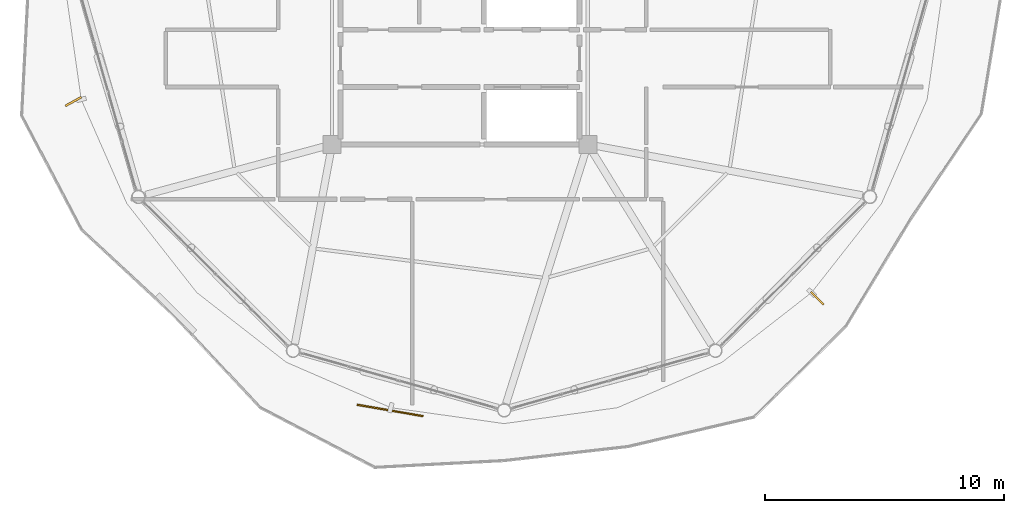
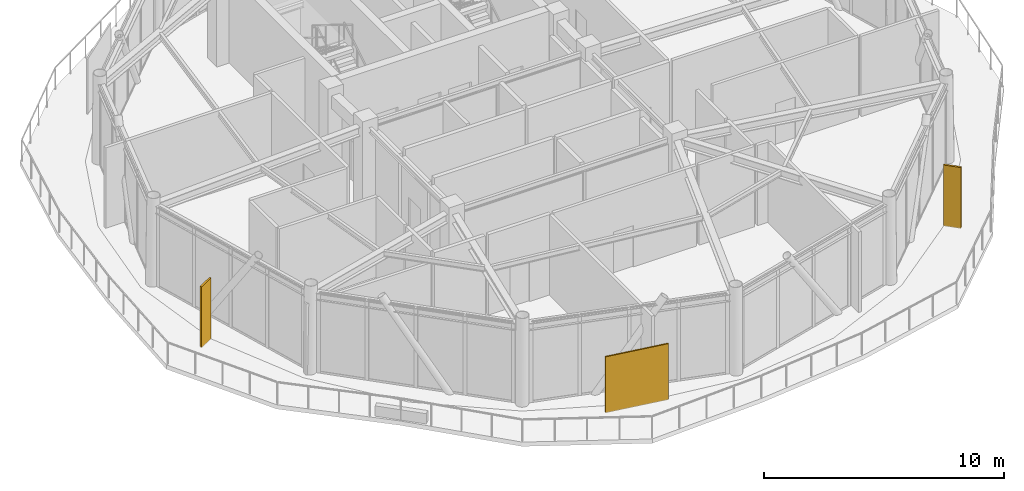
# One storey, part 21 of 24: 3 shading devices.
"""IFC4 building model written with IfcOpenShell, lengths in metres."""

from ifc_helpers import new_model, si_unit, direction, frame, origin, origin_2d, place, context, subcontext, project, spatial, rectangle, extrude, source, transform, mapped, material, type_object, type_shapes, element, save


model = new_model("IFC4")

# Units and contexts
model_context = context("Model", 3, precision=1e-05, world=origin(), true_north=direction((0.0, 1.0)))
body_context = subcontext(model_context, "Body", "Model", "MODEL_VIEW")
ifc_project = project(units=[si_unit("LENGTHUNIT", "METRE"), si_unit("AREAUNIT", "SQUARE_METRE"), si_unit("VOLUMEUNIT", "CUBIC_METRE"), si_unit("PLANEANGLEUNIT", "RADIAN"), si_unit("MASSUNIT", "GRAM", prefix="KILO")], contexts=[model_context])

# Site, building, storey
site_placement = place(None, origin())
site = spatial("IfcSite", under=ifc_project, at=site_placement, CompositionType="ELEMENT")
building_placement = place(site_placement, origin())
building = spatial("IfcBuilding", under=site, at=building_placement, Name="Varnakorn Sky Granary", CompositionType="ELEMENT")
storey_placement = place(building_placement, frame((0.0, 0.0, 285.0)))
storey = spatial("IfcBuildingStorey", under=building, at=storey_placement, Name="L73", CompositionType="ELEMENT", Elevation=285.0)

# Shading devices
ifc_material = material(Name="Anodised Bronze Aluminium Alloy 6063-T6", Category="aluminium")
shading_device_type_1 = type_object("IfcShadingDeviceType", Name="SH-FIN-03", PredefinedType="USERDEFINED", material=ifc_material)
shared_shape_1 = source(origin(), body_context, "Body", "SweptSolid", [
    extrude(rectangle(XDim=0.0849609375, YDim=0.760009765625, at=origin_2d()), origin(), (0.0, 0.0, 1.0), 3.10009765625),
])
type_shapes(shading_device_type_1, [shared_shape_1])
for number, where, z_axis, x_axis, name in (
    (1, (-13.17724609375, -4.80810546875, -0.0400390625), (0.0, 0.0, 1.0), (0.481885948132, -0.876233948779, 0.0), "Bronze Solar-Tracking Vertical Blade FIN L73-07"),
    (2, (17.951904296875, -13.041015625, -0.0400390625), (0.0, 0.0, 1.0), (0.70453430623, 0.709669931268, 0.0), "Bronze Solar-Tracking Vertical Blade FIN L73-11"),
):
    element("IfcShadingDevice", number, at=place(storey_placement, frame(where, z_axis=z_axis, x_axis=x_axis)), inside=storey, type_object=shading_device_type_1, Name=name, ObjectType="FIN", PredefinedType="USERDEFINED", context=body_context, shape_type="MappedRepresentation", body=[
        mapped(shared_shape_1, transform((0.0, 0.0, 0.0), x_axis=(1.0, 0.0, 0.0), y_axis=(0.0, 1.0, 0.0), z_axis=(0.0, 0.0, 1.0), scale=1.0)),
    ])
shading_device_type_2 = type_object("IfcShadingDeviceType", Name="SH-SCR-03", PredefinedType="USERDEFINED", material=ifc_material)
shared_shape_2 = source(origin(), body_context, "Body", "SweptSolid", [
    extrude(rectangle(XDim=2.800048828125, YDim=0.06494140625, at=origin_2d()), origin(), (0.0, 0.0, 1.0), 2.85009765625),
])
type_shapes(shading_device_type_2, [shared_shape_2])
shading_device_placement = place(storey_placement, frame((0.076416015625, -17.7333984375, -0.0400390625), z_axis=(0.0, 0.0, 1.0), x_axis=(0.985359003506, -0.170492328885, 0.0)))
element("IfcShadingDevice", 3, at=shading_device_placement, inside=storey, type_object=shading_device_type_2, Name="Perforated Bronze Solar Screen Panel SCREEN L73-09", ObjectType="SCREEN", PredefinedType="USERDEFINED", context=body_context, shape_type="MappedRepresentation", body=[
    mapped(shared_shape_2, transform((0.0, 0.0, 0.0), x_axis=(1.0, 0.0, 0.0), y_axis=(0.0, 1.0, 0.0), z_axis=(0.0, 0.0, 1.0), scale=1.0)),
])

save(model, "model.ifc")
